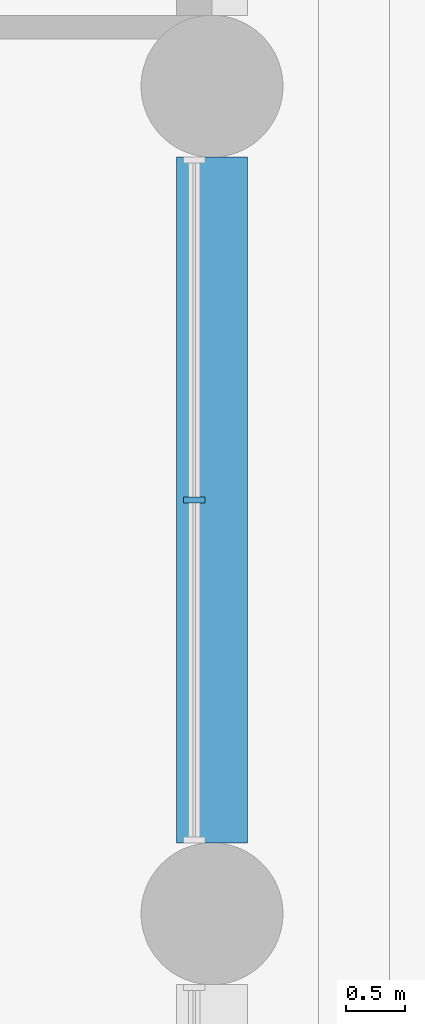
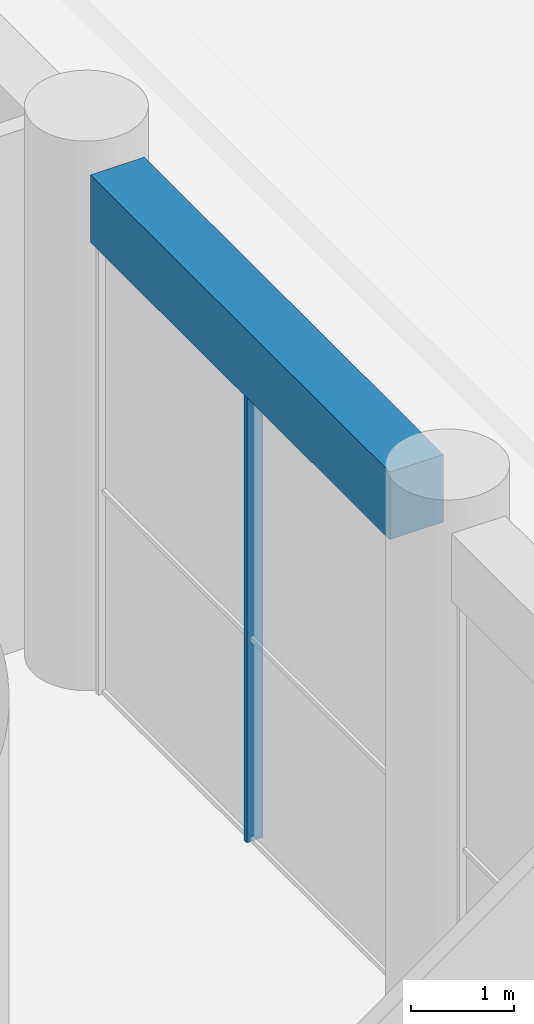
# One storey, part 8 of 51: 1 beam, 1 member, 1 element without a shape of its own.
"""IFC4 building model written with IfcOpenShell, lengths in metres."""

from ifc_helpers import new_model, si_unit, direction, frame, origin, origin_2d, place, context, subcontext, project, spatial, rectangle, extrude, material, layer, layer_set, material_profile, profile_set, type_object, element, aggregate, save


model = new_model("IFC4")

# Units and contexts
model_context = context("Model", 3, precision=1e-05, world=origin(), true_north=direction((0.0, 1.0)))
body_context = subcontext(model_context, "Body", "Model", "MODEL_VIEW")
ifc_project = project(units=[si_unit("LENGTHUNIT", "METRE"), si_unit("AREAUNIT", "SQUARE_METRE"), si_unit("VOLUMEUNIT", "CUBIC_METRE"), si_unit("PLANEANGLEUNIT", "RADIAN"), si_unit("MASSUNIT", "GRAM", prefix="KILO")], contexts=[model_context])

# Site, building, storey
site_placement = place(None, origin())
site = spatial("IfcSite", under=ifc_project, at=site_placement, CompositionType="ELEMENT")
building_placement = place(site_placement, origin())
building = spatial("IfcBuilding", under=site, at=building_placement, Name="Kiln Ring Residences", CompositionType="ELEMENT")
storey_placement = place(building_placement, origin())
storey = spatial("IfcBuildingStorey", under=building, at=storey_placement, Name="L00", CompositionType="ELEMENT", Elevation=0.0)

# Curtain wall, member
ifc_material_1 = material(Name="Aluminium and glass", Category="aluminium")
ifc_layer = layer(ifc_material_1, 0.179931640625)
ifc_layer_set = layer_set([ifc_layer], Name="CW2 CURTAIN WALL")
curtain_wall_type = type_object("IfcCurtainWallType", Name="CW2 CURTAIN WALL", PredefinedType="NOTDEFINED", material=ifc_layer_set)
curtain_wall_placement = place(storey_placement, origin())
curtain_wall = element("IfcCurtainWall", 1, at=curtain_wall_placement, inside=storey, type_object=curtain_wall_type, Name="Curtain wall CW2 L00", PredefinedType="NOTDEFINED")
ifc_material_2 = material(Name="Aluminium 6063-T6", Category="aluminium")
ifc_material_profile_1 = material_profile(ifc_material_2, rectangle(XDim=0.179931640625, YDim=0.050048828125, at=origin_2d()), Name="AL 180x50")
ifc_profile_set_1 = profile_set([ifc_material_profile_1], Name="Aluminium 6063-T6")
member_type = type_object("IfcMemberType", Name="CW2 MULLION 180 x 50", PredefinedType="MULLION", material=ifc_profile_set_1)
member_placement = place(storey_placement, frame((44.64990234375, -32.89990234375, 0.0), z_axis=(0.0, 0.0, 1.0), x_axis=(-1.0, 0.0, 0.0)))
member = element("IfcMember", 2, at=member_placement, type_object=member_type, Name="CW2 mullion 2", PredefinedType="MULLION", context=body_context, shape_type="SweptSolid", body=[
    extrude(rectangle(XDim=0.179931640625, YDim=0.050048828125, at=origin_2d()), origin(), (0.0, 0.0, 1.0), 5.35009765625),
])
aggregate(curtain_wall, [member])

# Beam
ifc_material_3 = material(Name="Concrete C50/60", Category="concrete")
ifc_material_profile_2 = material_profile(ifc_material_3, rectangle(XDim=0.60009765625, YDim=0.800048828125, at=origin_2d()), Name="RC600x800")
ifc_profile_set_2 = profile_set([ifc_material_profile_2], Name="Concrete C50/60")
beam_type = type_object("IfcBeamType", Name="Ring beam RC600x800 C50/60", PredefinedType="BEAM", material=ifc_profile_set_2)
beam_placement = place(storey_placement, frame((44.800048828125, -30.0, 5.75), z_axis=(0.0, -1.0, 0.0), x_axis=(1.0, 0.0, 0.0)))
element("IfcBeam", 3, at=beam_placement, inside=storey, type_object=beam_type, Name="Ring beam L00 24", PredefinedType="BEAM", context=body_context, shape_type="SweptSolid", body=[
    extrude(rectangle(XDim=0.60009765625, YDim=0.800048828125, at=origin_2d()), origin(), (0.0, 0.0, 1.0), 5.800048828125),
])

save(model, "model.ifc")
